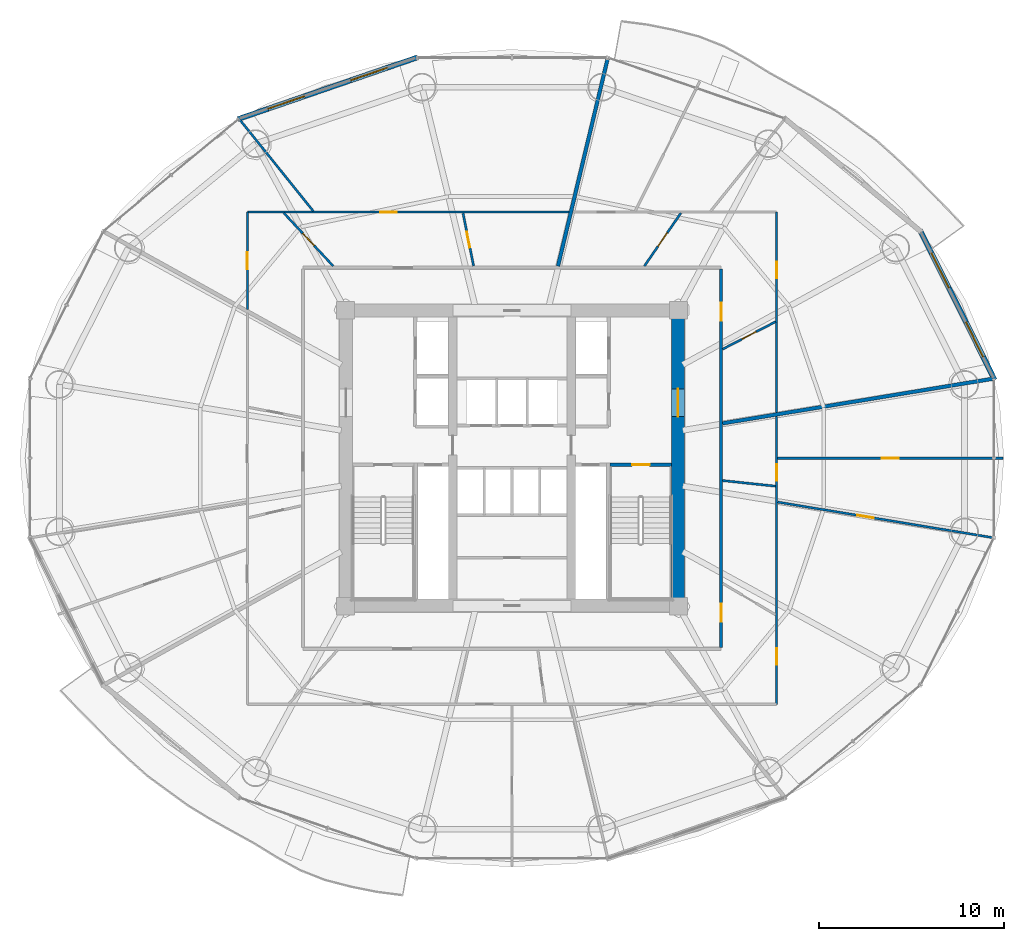
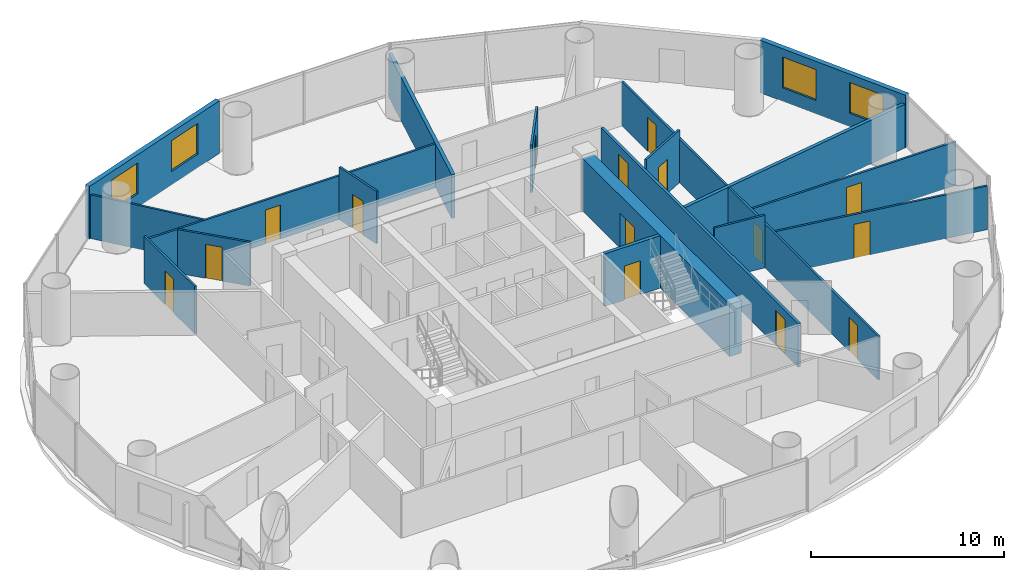
# One storey, part 24 of 29: 19 walls, 15 doors, 4 windows, 19 openings.
"""IFC4 building model written with IfcOpenShell, lengths in metres."""

from ifc_helpers import new_model, si_unit, direction, frame, frame_2d, origin, place, context, subcontext, project, spatial, rectangle, extrude, source, transform, mapped, material, layer, layer_set, type_object, element, fill, save


model = new_model("IFC4")

# Units and contexts
model_context = context("Model", 3, precision=1e-05, world=origin(), true_north=direction((-0.2419218956, 0.970295726276)))
body_context = subcontext(model_context, "Body", "Model", "MODEL_VIEW")
ifc_project = project(units=[si_unit("LENGTHUNIT", "METRE"), si_unit("AREAUNIT", "SQUARE_METRE"), si_unit("VOLUMEUNIT", "CUBIC_METRE"), si_unit("PLANEANGLEUNIT", "RADIAN"), si_unit("MASSUNIT", "GRAM", prefix="KILO")], contexts=[model_context])

# Site, building, storey
site_placement = place(None, origin())
site = spatial("IfcSite", under=ifc_project, at=site_placement, CompositionType="ELEMENT")
building_placement = place(site_placement, origin())
building = spatial("IfcBuilding", under=site, at=building_placement, Name="Cobrevalo Terracotta Tower", CompositionType="ELEMENT")
storey_placement = place(building_placement, frame((0.0, 0.0, 123.0)))
storey = spatial("IfcBuildingStorey", under=building, at=storey_placement, Name="L32", CompositionType="ELEMENT", Elevation=123.0)

# Wall, opening, door
ifc_material_1 = material(Name="Concrete C60", Category="concrete")
ifc_layer_1 = layer(ifc_material_1, 0.699951171875)
ifc_layer_set_1 = layer_set([ifc_layer_1], Name="Concrete C60")
wall_type_1 = type_object("IfcWallType", Name="Core shear wall 700 mm Concrete C60", PredefinedType="SHEAR", material=ifc_layer_set_1)
wall_1_placement = place(storey_placement, frame((46.97509765625, 19.175048828125, 0.0), z_axis=(0.0, 0.0, 1.0), x_axis=(0.0, 1.0, 0.0)))
wall_1 = element("IfcWall", 1, at=wall_1_placement, inside=storey, type_object=wall_type_1, Name="L32 east core shear wall", PredefinedType="SHEAR", context=body_context, shape_type="SweptSolid", body=[
    extrude(rectangle(XDim=15.25, YDim=0.699951171875, at=frame_2d((7.625, 0.0))), origin(), (0.0, 0.0, 1.0), 3.324951171875),
])
opening_1_placement = place(wall_1_placement, frame((9.875, 0.0, 0.0)))
opening_1 = element("IfcOpeningElement", 2, at=opening_1_placement, cuts=wall_1, Name="Opening ID-14", PredefinedType="OPENING", context=body_context, shape_type="SweptSolid", body=[
    extrude(rectangle(XDim=1.5, YDim=2.199951171875, at=frame_2d((0.75, 1.10009765625))), frame((0.0, 0.35986328125, 0.0), z_axis=(0.0, -1.0, 0.0), x_axis=(1.0, 0.0, 0.0)), (0.0, 0.0, 1.0), 0.719970703125),
])
ifc_material_2 = material(Name="Galvanized fire-rated steel", Category="steel")
door_type_1 = type_object("IfcDoorType", Name="Core cross-lobby double fire door 1500x2200 EI 90", OperationType="NOTDEFINED", PredefinedType="DOOR", material=ifc_material_2)
shared_shape_1 = source(origin(), body_context, "Body", "SweptSolid", [
    extrude(rectangle(XDim=1.5, YDim=2.199951171875, at=frame_2d((0.75, 1.10009765625))), frame((0.0, 0.02490234375, 0.0), z_axis=(0.0, -1.0, 0.0), x_axis=(1.0, 0.0, 0.0)), (0.0, 0.0, 1.0), 0.050048828125),
])
door_1_placement = place(opening_1_placement, frame((1.5, 0.0, 0.0), z_axis=(0.0, 0.0, 1.0), x_axis=(-1.0, 0.0, 0.0)))
door_1 = element("IfcDoor", 3, at=door_1_placement, inside=storey, type_object=door_type_1, Name="L32 east firefighting lobby entrance door", OperationType="DOUBLE_DOOR_SINGLE_SWING", OverallHeight=2.199951171875, OverallWidth=1.5, PredefinedType="DOOR", context=body_context, shape_type="MappedRepresentation", body=[
    mapped(shared_shape_1, transform((0.0, 0.0, 0.0), scale=1.0)),
])
fill(opening_1, door_1)

# Wall, openings, doors
ifc_material_3 = material(Name="Gypsum board on steel stud", Category="steel")
ifc_layer_2 = layer(ifc_material_3, 0.159912109375)
ifc_layer_set_2 = layer_set([ifc_layer_2], Name="Gypsum board on steel stud")
wall_type_2 = type_object("IfcWallType", Name="Fire-rated corridor acoustic partition wall 160 mm", PredefinedType="PARTITIONING", material=ifc_layer_set_2)
wall_2_placement = place(storey_placement, frame((49.304931640625, 16.574951171875, 0.0), z_axis=(0.0, 0.0, 1.0), x_axis=(0.0, 1.0, 0.0)))
wall_2 = element("IfcWall", 4, at=wall_2_placement, inside=storey, type_object=wall_type_2, Name="L32 interior partition IW-L32-COR-E", PredefinedType="PARTITIONING", context=body_context, shape_type="SweptSolid", body=[
    extrude(rectangle(XDim=20.449951171875, YDim=0.159912109375, at=frame_2d((10.22509765625, 0.0))), origin(), (0.0, 0.0, 1.0), 2.76708984375),
])
opening_2_placement = place(wall_2_placement, frame((17.660400390625, 0.0, 0.0)))
opening_2 = element("IfcOpeningElement", 5, at=opening_2_placement, cuts=wall_2, Name="Opening ID-05", PredefinedType="OPENING", context=body_context, shape_type="SweptSolid", body=[
    extrude(rectangle(XDim=0.97998046875, YDim=2.199951171875, at=frame_2d((0.489990234375, 1.10009765625))), frame((0.0, 0.08984375, 0.0), z_axis=(0.0, -1.0, 0.0), x_axis=(1.0, 0.0, 0.0)), (0.0, 0.0, 1.0), 0.179931640625),
])
opening_3_placement = place(wall_2_placement, frame((1.3740234375, 0.0, 0.0)))
opening_3 = element("IfcOpeningElement", 6, at=opening_3_placement, cuts=wall_2, Name="Opening ID-05", PredefinedType="OPENING", context=body_context, shape_type="SweptSolid", body=[
    extrude(rectangle(XDim=0.97998046875, YDim=2.199951171875, at=frame_2d((0.489990234375, 1.10009765625))), frame((0.0, 0.08984375, 0.0), z_axis=(0.0, -1.0, 0.0), x_axis=(1.0, 0.0, 0.0)), (0.0, 0.0, 1.0), 0.179931640625),
])
ifc_material_4 = material(Name="Solid hardwood timber", Category="wood")
door_type_2 = type_object("IfcDoorType", Name="Residence entrance fire-rated acoustic timber door 980x2200 EI 60", OperationType="NOTDEFINED", PredefinedType="DOOR", material=ifc_material_4)
shared_shape_2 = source(origin(), body_context, "Body", "SweptSolid", [
    extrude(rectangle(XDim=0.97998046875, YDim=2.199951171875, at=frame_2d((0.489990234375, 1.10009765625))), frame((0.0, 0.02490234375, 0.0), z_axis=(0.0, -1.0, 0.0), x_axis=(1.0, 0.0, 0.0)), (0.0, 0.0, 1.0), 0.050048828125),
])
door_2_placement = place(opening_2_placement, frame((0.97998046875, 0.0, 0.0), z_axis=(0.0, 0.0, 1.0), x_axis=(-1.0, 0.0, 0.0)))
door_2 = element("IfcDoor", 7, at=door_2_placement, inside=storey, type_object=door_type_2, Name="Flat L32A fire-rated apartment entrance door", OperationType="SINGLE_SWING_LEFT", OverallHeight=2.199951171875, OverallWidth=0.97998046875, PredefinedType="DOOR", context=body_context, shape_type="MappedRepresentation", body=[
    mapped(shared_shape_2, transform((0.0, 0.0, 0.0), scale=1.0)),
])
fill(opening_2, door_2)
door_3_placement = place(opening_3_placement, frame((0.97998046875, 0.0, 0.0), z_axis=(0.0, 0.0, 1.0), x_axis=(-1.0, 0.0, 0.0)))
door_3 = element("IfcDoor", 8, at=door_3_placement, inside=storey, type_object=door_type_2, Name="Flat L32E fire-rated apartment entrance door", OperationType="SINGLE_SWING_LEFT", OverallHeight=2.199951171875, OverallWidth=0.97998046875, PredefinedType="DOOR", context=body_context, shape_type="MappedRepresentation", body=[
    mapped(shared_shape_2, transform((0.0, 0.0, 0.0), scale=1.0)),
])
fill(opening_3, door_3)

# Walls
ifc_material_5 = material(Name="Autoclaved aerated concrete block", Category="concrete")
ifc_layer_3 = layer(ifc_material_5, 0.199951171875)
ifc_layer_set_3 = layer_set([ifc_layer_3], Name="Autoclaved aerated concrete block")
wall_type_3 = type_object("IfcWallType", Name="Fire-rated stair, shaft & demising masonry wall 200 mm", PredefinedType="PARTITIONING", material=ifc_layer_set_3)
wall_3_placement = place(storey_placement, frame((49.386962890625, 28.681884765625, 0.0), z_axis=(0.0, 0.0, 1.0), x_axis=(0.986617934215, 0.163049231479, 0.0)))
element("IfcWall", 9, at=wall_3_placement, inside=storey, type_object=wall_type_3, Name="L32 interior partition IW-L32-DEM-1", PredefinedType="PARTITIONING", context=body_context, shape_type="SweptSolid", body=[
    extrude(rectangle(XDim=14.78466796875, YDim=0.199951171875, at=frame_2d((7.392333984375, 0.0))), origin(), (0.0, 0.0, 1.0), 2.76708984375),
])
wall_4_placement = place(storey_placement, frame((40.486328125, 37.18505859375, 0.0), z_axis=(0.0, 0.0, 1.0), x_axis=(0.232834224261, 0.972516438942, 0.0)))
element("IfcWall", 10, at=wall_4_placement, inside=storey, type_object=wall_type_3, Name="L32 interior partition IW-L32-DEM-2", PredefinedType="PARTITIONING", context=body_context, shape_type="SweptSolid", body=[
    extrude(rectangle(XDim=11.501708984375, YDim=0.199951171875, at=frame_2d((5.7509765625, 0.0))), origin(), (0.0, 0.0, 1.0), 2.76708984375),
])

# Wall, openings, windows
ifc_layer_4 = layer(ifc_material_5, 0.280029296875)
ifc_layer_set_4 = layer_set([ifc_layer_4], Name="Autoclaved aerated concrete block")
wall_type_4 = type_object("IfcWallType", Name="Insulated tower spandrel & pier wall 280 mm with terracotta rainscreen", PredefinedType="SOLIDWALL", material=ifc_layer_set_4)
wall_5_placement = place(storey_placement, frame((64.09521484375, 31.033935546875, 0.0), z_axis=(0.0, 0.0, 1.0), x_axis=(-0.446263788661, 0.894901464369, 0.0)))
wall_5 = element("IfcWall", 11, at=wall_5_placement, inside=storey, type_object=wall_type_4, Name="L32 terracotta rainscreen pier wall S01", PredefinedType="SOLIDWALL", context=body_context, shape_type="SweptSolid", body=[
    extrude(rectangle(XDim=9.05029296875, YDim=0.280029296875, at=frame_2d((4.525146484375, 0.0))), origin(), (0.0, 0.0, 1.0), 3.324951171875),
])
opening_4_placement = place(wall_5_placement, frame((1.3935546875, 0.0, 0.85009765625)))
opening_4 = element("IfcOpeningElement", 12, at=opening_4_placement, cuts=wall_5, Name="Opening WN-10", PredefinedType="OPENING", context=body_context, shape_type="SweptSolid", body=[
    extrude(rectangle(XDim=2.10009765625, YDim=1.949951171875, at=frame_2d((1.050048828125, 0.97509765625))), frame((0.0, 0.14990234375, 0.0), z_axis=(0.0, -1.0, 0.0), x_axis=(1.0, 0.0, 0.0)), (0.0, 0.0, 1.0), 0.300048828125),
])
opening_5_placement = place(wall_5_placement, frame((5.556640625, 0.0, 0.85009765625)))
opening_5 = element("IfcOpeningElement", 13, at=opening_5_placement, cuts=wall_5, Name="Opening WN-10", PredefinedType="OPENING", context=body_context, shape_type="SweptSolid", body=[
    extrude(rectangle(XDim=2.10009765625, YDim=1.949951171875, at=frame_2d((1.050048828125, 0.97509765625))), frame((0.0, 0.14990234375, 0.0), z_axis=(0.0, -1.0, 0.0), x_axis=(1.0, 0.0, 0.0)), (0.0, 0.0, 1.0), 0.300048828125),
])
ifc_material_6 = material(Name="Solar-control low-E double glazing", Category="glass")
window_type = type_object("IfcWindowType", Name="Wide panoramic low-E aluminium window 2100x1950", PartitioningType="SINGLE_PANEL", PredefinedType="WINDOW", material=ifc_material_6)
shared_shape_3 = source(origin(), body_context, "Body", "SweptSolid", [
    extrude(rectangle(XDim=2.10009765625, YDim=1.949951171875, at=frame_2d((1.050048828125, 0.97509765625))), frame((0.0, 0.030029296875, 0.0), z_axis=(0.0, -1.0, 0.0), x_axis=(1.0, 0.0, 0.0)), (0.0, 0.0, 1.0), 0.06005859375),
])
window_1_placement = place(opening_4_placement, origin())
window_1 = element("IfcWindow", 14, at=window_1_placement, inside=storey, type_object=window_type, Name="L32 suite window S01A", OverallHeight=1.949951171875, OverallWidth=2.10009765625, PartitioningType="SINGLE_PANEL", PredefinedType="WINDOW", context=body_context, shape_type="MappedRepresentation", body=[
    mapped(shared_shape_3, transform((0.0, 0.0, 0.0), scale=1.0)),
])
fill(opening_4, window_1)
window_2_placement = place(opening_5_placement, origin())
window_2 = element("IfcWindow", 15, at=window_2_placement, inside=storey, type_object=window_type, Name="L32 suite window S01B", OverallHeight=1.949951171875, OverallWidth=2.10009765625, PartitioningType="SINGLE_PANEL", PredefinedType="WINDOW", context=body_context, shape_type="MappedRepresentation", body=[
    mapped(shared_shape_3, transform((0.0, 0.0, 0.0), scale=1.0)),
])
fill(opening_5, window_2)

wall_6_placement = place(storey_placement, frame((32.89208984375, 48.471923828125, 0.0), z_axis=(0.0, 0.0, 1.0), x_axis=(-0.945597432299, -0.325339047809, 0.0)))
wall_6 = element("IfcWall", 16, at=wall_6_placement, inside=storey, type_object=wall_type_4, Name="L32 terracotta rainscreen pier wall S05", PredefinedType="SOLIDWALL", context=body_context, shape_type="SweptSolid", body=[
    extrude(rectangle(XDim=10.2890625, YDim=0.280029296875, at=frame_2d((5.14453125, 0.0))), origin(), (0.0, 0.0, 1.0), 3.324951171875),
])
opening_6_placement = place(wall_6_placement, frame((1.72802734375, 0.0, 0.85009765625)))
opening_6 = element("IfcOpeningElement", 17, at=opening_6_placement, cuts=wall_6, Name="Opening WN-10", PredefinedType="OPENING", context=body_context, shape_type="SweptSolid", body=[
    extrude(rectangle(XDim=2.10009765625, YDim=1.949951171875, at=frame_2d((1.050048828125, 0.97509765625))), frame((0.0, 0.14990234375, 0.0), z_axis=(0.0, -1.0, 0.0), x_axis=(1.0, 0.0, 0.0)), (0.0, 0.0, 1.0), 0.300048828125),
])
opening_7_placement = place(wall_6_placement, frame((6.4609375, 0.0, 0.85009765625)))
opening_7 = element("IfcOpeningElement", 18, at=opening_7_placement, cuts=wall_6, Name="Opening WN-10", PredefinedType="OPENING", context=body_context, shape_type="SweptSolid", body=[
    extrude(rectangle(XDim=2.10009765625, YDim=1.949951171875, at=frame_2d((1.050048828125, 0.97509765625))), frame((0.0, 0.14990234375, 0.0), z_axis=(0.0, -1.0, 0.0), x_axis=(1.0, 0.0, 0.0)), (0.0, 0.0, 1.0), 0.300048828125),
])
window_3_placement = place(opening_6_placement, origin())
window_3 = element("IfcWindow", 19, at=window_3_placement, inside=storey, type_object=window_type, Name="L32 suite window S05A", OverallHeight=1.949951171875, OverallWidth=2.10009765625, PartitioningType="SINGLE_PANEL", PredefinedType="WINDOW", context=body_context, shape_type="MappedRepresentation", body=[
    mapped(shared_shape_3, transform((0.0, 0.0, 0.0), scale=1.0)),
])
fill(opening_6, window_3)
window_4_placement = place(opening_7_placement, origin())
window_4 = element("IfcWindow", 20, at=window_4_placement, inside=storey, type_object=window_type, Name="L32 suite window S05B", OverallHeight=1.949951171875, OverallWidth=2.10009765625, PartitioningType="SINGLE_PANEL", PredefinedType="WINDOW", context=body_context, shape_type="MappedRepresentation", body=[
    mapped(shared_shape_3, transform((0.0, 0.0, 0.0), scale=1.0)),
])
fill(opening_7, window_4)

# Wall, opening, door
ifc_layer_5 = layer(ifc_material_3, 0.1201171875)
ifc_layer_set_5 = layer_set([ifc_layer_5], Name="Gypsum board on steel stud")
wall_type_5 = type_object("IfcWallType", Name="Residential internal acoustic stud partition 120 mm", PredefinedType="PARTITIONING", material=ifc_layer_set_5)
wall_7_placement = place(storey_placement, frame((52.304931640625, 40.10498046875, 0.0), z_axis=(0.0, 0.0, 1.0), x_axis=(0.0, -1.0, 0.0)))
wall_7 = element("IfcWall", 21, at=wall_7_placement, inside=storey, type_object=wall_type_5, Name="L32 interior partition IW-L32-U1-RING1_0", PredefinedType="PARTITIONING", context=body_context, shape_type="SweptSolid", body=[
    extrude(rectangle(XDim=10.8388671875, YDim=0.1201171875, at=frame_2d((5.41943359375, 0.0))), origin(), (0.0, 0.0, 1.0), 2.76708984375),
])
opening_8_placement = place(wall_7_placement, frame((2.6748046875, 0.0, 0.0)))
opening_8 = element("IfcOpeningElement", 22, at=opening_8_placement, cuts=wall_7, Name="Opening ID-12", PredefinedType="OPENING", context=body_context, shape_type="SweptSolid", body=[
    extrude(rectangle(XDim=0.89990234375, YDim=2.14990234375, at=frame_2d((0.449951171875, 1.074951171875))), frame((0.0, 0.070068359375, 0.0), z_axis=(0.0, -1.0, 0.0), x_axis=(1.0, 0.0, 0.0)), (0.0, 0.0, 1.0), 0.14013671875),
])
ifc_material_7 = material(Name="Engineered timber", Category="wood")
door_type_3 = type_object("IfcDoorType", Name="Internal residence & suite timber door 900x2150", OperationType="NOTDEFINED", PredefinedType="DOOR", material=ifc_material_7)
shared_shape_4 = source(origin(), body_context, "Body", "SweptSolid", [
    extrude(rectangle(XDim=0.89990234375, YDim=2.14990234375, at=frame_2d((0.449951171875, 1.074951171875))), frame((0.0, 0.02490234375, 0.0), z_axis=(0.0, -1.0, 0.0), x_axis=(1.0, 0.0, 0.0)), (0.0, 0.0, 1.0), 0.050048828125),
])
door_4_placement = place(opening_8_placement, origin())
door_4 = element("IfcDoor", 23, at=door_4_placement, inside=storey, type_object=door_type_3, Name="Flat L32A Penthouse Living and Dining Room internal door", OperationType="SINGLE_SWING_LEFT", OverallHeight=2.14990234375, OverallWidth=0.89990234375, PredefinedType="DOOR", context=body_context, shape_type="MappedRepresentation", body=[
    mapped(shared_shape_4, transform((0.0, 0.0, 0.0), scale=1.0)),
])
fill(opening_8, door_4)

wall_8_placement = place(storey_placement, frame((49.38671875, 32.695068359375, 0.0), z_axis=(0.0, 0.0, 1.0), x_axis=(0.888069491277, 0.459709232737, 0.0)))
wall_8 = element("IfcWall", 24, at=wall_8_placement, inside=storey, type_object=wall_type_5, Name="L32 interior partition IW-L32-U1-IRAD1", PredefinedType="PARTITIONING", context=body_context, shape_type="SweptSolid", body=[
    extrude(rectangle(XDim=3.22412109375, YDim=0.1201171875, at=frame_2d((1.612060546875, 0.0))), origin(), (0.0, 0.0, 1.0), 3.324951171875),
])
opening_9_placement = place(wall_8_placement, frame((1.18212890625, 0.0, 0.0)))
opening_9 = element("IfcOpeningElement", 25, at=opening_9_placement, cuts=wall_8, Name="Opening ID-19", PredefinedType="OPENING", context=body_context, shape_type="SweptSolid", body=[
    extrude(rectangle(XDim=0.860107421875, YDim=2.14990234375, at=frame_2d((0.43017578125, 1.074951171875))), frame((0.0, 0.070068359375, 0.0), z_axis=(0.0, -1.0, 0.0), x_axis=(1.0, 0.0, 0.0)), (0.0, 0.0, 1.0), 0.14013671875),
])
ifc_material_8 = material(Name="Moisture-sealed timber", Category="wood")
door_type_4 = type_object("IfcDoorType", Name="Suite bathroom internal timber door 860x2150", OperationType="NOTDEFINED", PredefinedType="DOOR", material=ifc_material_8)
shared_shape_5 = source(origin(), body_context, "Body", "SweptSolid", [
    extrude(rectangle(XDim=0.860107421875, YDim=2.14990234375, at=frame_2d((0.43017578125, 1.074951171875))), frame((0.0, 0.02490234375, 0.0), z_axis=(0.0, -1.0, 0.0), x_axis=(1.0, 0.0, 0.0)), (0.0, 0.0, 1.0), 0.050048828125),
])
door_5_placement = place(opening_9_placement, frame((0.860107421875, 0.0, 0.0), z_axis=(0.0, 0.0, 1.0), x_axis=(-1.0, 0.0, 0.0)))
door_5 = element("IfcDoor", 26, at=door_5_placement, inside=storey, type_object=door_type_4, Name="Flat L32A Primary Bathroom internal door", OperationType="SINGLE_SWING_RIGHT", OverallHeight=2.14990234375, OverallWidth=0.860107421875, PredefinedType="DOOR", context=body_context, shape_type="MappedRepresentation", body=[
    mapped(shared_shape_5, transform((0.0, 0.0, 0.0), scale=1.0)),
])
fill(opening_9, door_5)

wall_9_placement = place(storey_placement, frame((45.1552734375, 37.18505859375, 0.0), z_axis=(0.0, 0.0, 1.0), x_axis=(0.567393940912, 0.82344648631, 0.0)))
wall_9 = element("IfcWall", 27, at=wall_9_placement, inside=storey, type_object=wall_type_5, Name="L32 interior partition IW-L32-U1-IRAD2", PredefinedType="PARTITIONING", context=body_context, shape_type="SweptSolid", body=[
    extrude(rectangle(XDim=3.484130859375, YDim=0.1201171875, at=frame_2d((1.7421875, 0.0))), origin(), (0.0, 0.0, 1.0), 3.00390625),
])
opening_10_placement = place(wall_9_placement, frame((1.2919921875, 0.0, 0.0)))
opening_10 = element("IfcOpeningElement", 28, at=opening_10_placement, cuts=wall_9, Name="Opening ID-12", PredefinedType="OPENING", context=body_context, shape_type="SweptSolid", body=[
    extrude(rectangle(XDim=0.89990234375, YDim=2.14990234375, at=frame_2d((0.449951171875, 1.074951171875))), frame((0.0, 0.070068359375, 0.0), z_axis=(0.0, -1.0, 0.0), x_axis=(1.0, 0.0, 0.0)), (0.0, 0.0, 1.0), 0.14013671875),
])
door_6_placement = place(opening_10_placement, origin())
door_6 = element("IfcDoor", 29, at=door_6_placement, inside=storey, type_object=door_type_3, Name="Flat L32A Kitchen internal door", OperationType="SINGLE_SWING_RIGHT", OverallHeight=2.14990234375, OverallWidth=0.89990234375, PredefinedType="DOOR", context=body_context, shape_type="MappedRepresentation", body=[
    mapped(shared_shape_4, transform((0.0, 0.0, 0.0), scale=1.0)),
])
fill(opening_10, door_6)

wall_10_placement = place(storey_placement, frame((23.695068359375, 34.84326171875, 0.0), z_axis=(0.0, 0.0, 1.0), x_axis=(0.0, 1.0, 0.0)))
wall_10 = element("IfcWall", 30, at=wall_10_placement, inside=storey, type_object=wall_type_5, Name="L32 interior partition IW-L32-U2-RING0_0", PredefinedType="PARTITIONING", context=body_context, shape_type="SweptSolid", body=[
    extrude(rectangle(XDim=5.26171875, YDim=0.1201171875, at=frame_2d((2.630859375, 0.0))), origin(), (0.0, 0.0, 1.0), 3.00390625),
])
opening_11_placement = place(wall_10_placement, frame((2.180908203125, 0.0, 0.0)))
opening_11 = element("IfcOpeningElement", 31, at=opening_11_placement, cuts=wall_10, Name="Opening ID-12", PredefinedType="OPENING", context=body_context, shape_type="SweptSolid", body=[
    extrude(rectangle(XDim=0.89990234375, YDim=2.14990234375, at=frame_2d((0.449951171875, 1.074951171875))), frame((0.0, 0.070068359375, 0.0), z_axis=(0.0, -1.0, 0.0), x_axis=(1.0, 0.0, 0.0)), (0.0, 0.0, 1.0), 0.14013671875),
])
door_7_placement = place(opening_11_placement, origin())
door_7 = element("IfcDoor", 32, at=door_7_placement, inside=storey, type_object=door_type_3, Name="Flat L32B Master Bedroom internal door", OperationType="SINGLE_SWING_LEFT", OverallHeight=2.14990234375, OverallWidth=0.89990234375, PredefinedType="DOOR", context=body_context, shape_type="MappedRepresentation", body=[
    mapped(shared_shape_4, transform((0.0, 0.0, 0.0), scale=1.0)),
])
fill(opening_11, door_7)

wall_11_placement = place(storey_placement, frame((23.695068359375, 40.10498046875, 0.0), z_axis=(0.0, 0.0, 1.0), x_axis=(1.0, 0.0, 0.0)))
wall_11 = element("IfcWall", 33, at=wall_11_placement, inside=storey, type_object=wall_type_5, Name="L32 interior partition IW-L32-U2-RING1_0", PredefinedType="PARTITIONING", context=body_context, shape_type="SweptSolid", body=[
    extrude(rectangle(XDim=17.388427734375, YDim=0.1201171875, at=frame_2d((8.6943359375, 0.0))), origin(), (0.0, 0.0, 1.0), 2.76708984375),
])
opening_12_placement = place(wall_11_placement, frame((7.18359375, 0.0, 0.0)))
opening_12 = element("IfcOpeningElement", 34, at=opening_12_placement, cuts=wall_11, Name="Opening ID-12", PredefinedType="OPENING", context=body_context, shape_type="SweptSolid", body=[
    extrude(rectangle(XDim=0.89990234375, YDim=2.14990234375, at=frame_2d((0.449951171875, 1.074951171875))), frame((0.0, 0.070068359375, 0.0), z_axis=(0.0, -1.0, 0.0), x_axis=(1.0, 0.0, 0.0)), (0.0, 0.0, 1.0), 0.14013671875),
])
door_8_placement = place(opening_12_placement, origin())
door_8 = element("IfcDoor", 35, at=door_8_placement, inside=storey, type_object=door_type_3, Name="Flat L32B Penthouse Living and Dining Room internal door", OperationType="SINGLE_SWING_LEFT", OverallHeight=2.14990234375, OverallWidth=0.89990234375, PredefinedType="DOOR", context=body_context, shape_type="MappedRepresentation", body=[
    mapped(shared_shape_4, transform((0.0, 0.0, 0.0), scale=1.0)),
])
fill(opening_12, door_8)

# Wall
wall_12_placement = place(storey_placement, frame((27.2607421875, 40.1533203125, 0.0), z_axis=(0.0, 0.0, 1.0), x_axis=(-0.626714875168, 0.779248654309, 0.0)))
element("IfcWall", 36, at=wall_12_placement, inside=storey, type_object=wall_type_5, Name="L32 interior partition IW-L32-U2-ORAD1", PredefinedType="PARTITIONING", context=body_context, shape_type="SweptSolid", body=[
    extrude(rectangle(XDim=6.331787109375, YDim=0.1201171875, at=frame_2d((3.166015625, 0.0))), origin(), (0.0, 0.0, 1.0), 2.76708984375),
])

# Wall, opening, door
wall_13_placement = place(storey_placement, frame((35.924560546875, 37.18505859375, 0.0), z_axis=(0.0, 0.0, 1.0), x_axis=(-0.196019518907, 0.980599993987, 0.0)))
wall_13 = element("IfcWall", 37, at=wall_13_placement, inside=storey, type_object=wall_type_5, Name="L32 interior partition IW-L32-U2-IRAD1", PredefinedType="PARTITIONING", context=body_context, shape_type="SweptSolid", body=[
    extrude(rectangle(XDim=2.915771484375, YDim=0.1201171875, at=frame_2d((1.4580078125, 0.0))), origin(), (0.0, 0.0, 1.0), 3.324951171875),
])
opening_13_placement = place(wall_13_placement, frame((1.02783203125, 0.0, 0.0)))
opening_13 = element("IfcOpeningElement", 38, at=opening_13_placement, cuts=wall_13, Name="Opening ID-19", PredefinedType="OPENING", context=body_context, shape_type="SweptSolid", body=[
    extrude(rectangle(XDim=0.860107421875, YDim=2.14990234375, at=frame_2d((0.43017578125, 1.074951171875))), frame((0.0, 0.070068359375, 0.0), z_axis=(0.0, -1.0, 0.0), x_axis=(1.0, 0.0, 0.0)), (0.0, 0.0, 1.0), 0.14013671875),
])
door_9_placement = place(opening_13_placement, frame((0.860107421875, 0.0, 0.0), z_axis=(0.0, 0.0, 1.0), x_axis=(-1.0, 0.0, 0.0)))
door_9 = element("IfcDoor", 39, at=door_9_placement, inside=storey, type_object=door_type_4, Name="Flat L32B Primary Bathroom internal door", OperationType="SINGLE_SWING_RIGHT", OverallHeight=2.14990234375, OverallWidth=0.860107421875, PredefinedType="DOOR", context=body_context, shape_type="MappedRepresentation", body=[
    mapped(shared_shape_5, transform((0.0, 0.0, 0.0), scale=1.0)),
])
fill(opening_13, door_9)

wall_14_placement = place(storey_placement, frame((28.335205078125, 37.18505859375, 0.0), z_axis=(0.0, 0.0, 1.0), x_axis=(-0.681251984121, 0.732048997083, 0.0)))
wall_14 = element("IfcWall", 40, at=wall_14_placement, inside=storey, type_object=wall_type_5, Name="L32 interior partition IW-L32-U2-IRAD2", PredefinedType="PARTITIONING", context=body_context, shape_type="SweptSolid", body=[
    extrude(rectangle(XDim=3.9267578125, YDim=0.1201171875, at=frame_2d((1.96337890625, 0.0))), origin(), (0.0, 0.0, 1.0), 2.76708984375),
])
opening_14_placement = place(wall_14_placement, frame((1.513427734375, 0.0, 0.0)))
opening_14 = element("IfcOpeningElement", 41, at=opening_14_placement, cuts=wall_14, Name="Opening ID-12", PredefinedType="OPENING", context=body_context, shape_type="SweptSolid", body=[
    extrude(rectangle(XDim=0.89990234375, YDim=2.14990234375, at=frame_2d((0.449951171875, 1.074951171875))), frame((0.0, 0.070068359375, 0.0), z_axis=(0.0, -1.0, 0.0), x_axis=(1.0, 0.0, 0.0)), (0.0, 0.0, 1.0), 0.14013671875),
])
door_10_placement = place(opening_14_placement, origin())
door_10 = element("IfcDoor", 42, at=door_10_placement, inside=storey, type_object=door_type_3, Name="Flat L32B Kitchen internal door", OperationType="SINGLE_SWING_RIGHT", OverallHeight=2.14990234375, OverallWidth=0.89990234375, PredefinedType="DOOR", context=body_context, shape_type="MappedRepresentation", body=[
    mapped(shared_shape_4, transform((0.0, 0.0, 0.0), scale=1.0)),
])
fill(opening_14, door_10)

# Wall, openings, doors
wall_15_placement = place(storey_placement, frame((52.304931640625, 29.06201171875, 0.0), z_axis=(0.0, 0.0, 1.0), x_axis=(0.0, -1.0, 0.0)))
wall_15 = element("IfcWall", 43, at=wall_15_placement, inside=storey, type_object=wall_type_5, Name="L32 interior partition IW-L32-U5-RING0_0", PredefinedType="PARTITIONING", context=body_context, shape_type="SweptSolid", body=[
    extrude(rectangle(XDim=15.56689453125, YDim=0.1201171875, at=frame_2d((7.783447265625, 0.0))), origin(), (0.0, 0.0, 1.0), 2.76708984375),
])
opening_15_placement = place(wall_15_placement, frame((12.534912109375, 0.0, 0.0)))
opening_15 = element("IfcOpeningElement", 44, at=opening_15_placement, cuts=wall_15, Name="Opening ID-12", PredefinedType="OPENING", context=body_context, shape_type="SweptSolid", body=[
    extrude(rectangle(XDim=0.89990234375, YDim=2.14990234375, at=frame_2d((0.449951171875, 1.074951171875))), frame((0.0, 0.070068359375, 0.0), z_axis=(0.0, -1.0, 0.0), x_axis=(1.0, 0.0, 0.0)), (0.0, 0.0, 1.0), 0.14013671875),
])
opening_16_placement = place(wall_15_placement, frame((2.58203125, 0.0, 0.0)))
opening_16 = element("IfcOpeningElement", 45, at=opening_16_placement, cuts=wall_15, Name="Opening ID-12", PredefinedType="OPENING", context=body_context, shape_type="SweptSolid", body=[
    extrude(rectangle(XDim=0.89990234375, YDim=2.14990234375, at=frame_2d((0.449951171875, 1.074951171875))), frame((0.0, 0.070068359375, 0.0), z_axis=(0.0, -1.0, 0.0), x_axis=(1.0, 0.0, 0.0)), (0.0, 0.0, 1.0), 0.14013671875),
])
door_11_placement = place(opening_15_placement, origin())
door_11 = element("IfcDoor", 46, at=door_11_placement, inside=storey, type_object=door_type_3, Name="Flat L32E Penthouse Living and Dining Room internal door", OperationType="SINGLE_SWING_LEFT", OverallHeight=2.14990234375, OverallWidth=0.89990234375, PredefinedType="DOOR", context=body_context, shape_type="MappedRepresentation", body=[
    mapped(shared_shape_4, transform((0.0, 0.0, 0.0), scale=1.0)),
])
fill(opening_15, door_11)
door_12_placement = place(opening_16_placement, frame((0.89990234375, 0.0, 0.0), z_axis=(0.0, 0.0, 1.0), x_axis=(-1.0, 0.0, 0.0)))
door_12 = element("IfcDoor", 47, at=door_12_placement, inside=storey, type_object=door_type_3, Name="Flat L32E Kitchen internal door", OperationType="SINGLE_SWING_LEFT", OverallHeight=2.14990234375, OverallWidth=0.89990234375, PredefinedType="DOOR", context=body_context, shape_type="MappedRepresentation", body=[
    mapped(shared_shape_4, transform((0.0, 0.0, 0.0), scale=1.0)),
])
fill(opening_16, door_12)

# Wall, opening, door
wall_16_placement = place(storey_placement, frame((52.3662109375, 24.42578125, 0.0), z_axis=(0.0, 0.0, 1.0), x_axis=(0.986619012175, -0.163042708564, 0.0)))
wall_16 = element("IfcWall", 48, at=wall_16_placement, inside=storey, type_object=wall_type_5, Name="L32 interior partition IW-L32-U5-ORAD1", PredefinedType="PARTITIONING", context=body_context, shape_type="SweptSolid", body=[
    extrude(rectangle(XDim=11.76513671875, YDim=0.1201171875, at=frame_2d((5.882568359375, 0.0))), origin(), (0.0, 0.0, 1.0), 2.76708984375),
])
opening_17_placement = place(wall_16_placement, frame((4.359130859375, 0.0, 0.0)))
opening_17 = element("IfcOpeningElement", 49, at=opening_17_placement, cuts=wall_16, Name="Opening ID-12", PredefinedType="OPENING", context=body_context, shape_type="SweptSolid", body=[
    extrude(rectangle(XDim=0.89990234375, YDim=2.14990234375, at=frame_2d((0.449951171875, 1.074951171875))), frame((0.0, 0.070068359375, 0.0), z_axis=(0.0, -1.0, 0.0), x_axis=(1.0, 0.0, 0.0)), (0.0, 0.0, 1.0), 0.14013671875),
])
door_13_placement = place(opening_17_placement, origin())
door_13 = element("IfcDoor", 50, at=door_13_placement, inside=storey, type_object=door_type_3, Name="Flat L32E Master Bedroom internal door", OperationType="SINGLE_SWING_RIGHT", OverallHeight=2.14990234375, OverallWidth=0.89990234375, PredefinedType="DOOR", context=body_context, shape_type="MappedRepresentation", body=[
    mapped(shared_shape_4, transform((0.0, 0.0, 0.0), scale=1.0)),
])
fill(opening_17, door_13)

wall_17_placement = place(storey_placement, frame((52.366943359375, 26.800048828125, 0.0), z_axis=(0.0, 0.0, 1.0), x_axis=(1.0, 0.0, 0.0)))
wall_17 = element("IfcWall", 51, at=wall_17_placement, inside=storey, type_object=wall_type_5, Name="L32 interior partition IW-L32-U5-ORAD2M1", PredefinedType="PARTITIONING", context=body_context, shape_type="SweptSolid", body=[
    extrude(rectangle(XDim=12.173095703125, YDim=0.1201171875, at=frame_2d((6.08642578125, 0.0))), origin(), (0.0, 0.0, 1.0), 2.76708984375),
])
opening_18_placement = place(wall_17_placement, frame((5.636474609375, 0.0, 0.0)))
opening_18 = element("IfcOpeningElement", 52, at=opening_18_placement, cuts=wall_17, Name="Opening ID-12", PredefinedType="OPENING", context=body_context, shape_type="SweptSolid", body=[
    extrude(rectangle(XDim=0.89990234375, YDim=2.14990234375, at=frame_2d((0.449951171875, 1.074951171875))), frame((0.0, 0.070068359375, 0.0), z_axis=(0.0, -1.0, 0.0), x_axis=(1.0, 0.0, 0.0)), (0.0, 0.0, 1.0), 0.14013671875),
])
door_14_placement = place(opening_18_placement, origin())
door_14 = element("IfcDoor", 53, at=door_14_placement, inside=storey, type_object=door_type_3, Name="Flat L32E Penthouse Family Lounge internal door", OperationType="SINGLE_SWING_RIGHT", OverallHeight=2.14990234375, OverallWidth=0.89990234375, PredefinedType="DOOR", context=body_context, shape_type="MappedRepresentation", body=[
    mapped(shared_shape_4, transform((0.0, 0.0, 0.0), scale=1.0)),
])
fill(opening_18, door_14)

# Wall
wall_18_placement = place(storey_placement, frame((49.386962890625, 25.58984375, 0.0), z_axis=(0.0, 0.0, 1.0), x_axis=(0.99440393079, -0.105644793673, 0.0)))
element("IfcWall", 54, at=wall_18_placement, inside=storey, type_object=wall_type_5, Name="L32 interior partition IW-L32-U5-IRAD2", PredefinedType="PARTITIONING", context=body_context, shape_type="SweptSolid", body=[
    extrude(rectangle(XDim=2.87255859375, YDim=0.1201171875, at=frame_2d((1.436279296875, 0.0))), origin(), (0.0, 0.0, 1.0), 3.324951171875),
])

# Wall, opening, door
ifc_material_9 = material(Name="Concrete C50", Category="concrete")
ifc_layer_6 = layer(ifc_material_9, 0.199951171875)
ifc_layer_set_6 = layer_set([ifc_layer_6], Name="Concrete C50")
wall_type_6 = type_object("IfcWallType", Name="Structural core & podium stair-shaft RC wall 200 mm Concrete C50", PredefinedType="SOLIDWALL", material=ifc_layer_set_6)
wall_19_placement = place(storey_placement, frame((43.304931640625, 26.449951171875, 0.0), z_axis=(0.0, 0.0, 1.0), x_axis=(1.0, 0.0, 0.0)))
wall_19 = element("IfcWall", 55, at=wall_19_placement, inside=storey, type_object=wall_type_6, Name="L32 ST-2 north structural shaft wall", PredefinedType="SOLIDWALL", context=body_context, shape_type="SweptSolid", body=[
    extrude(rectangle(XDim=3.320068359375, YDim=0.199951171875, at=frame_2d((1.66015625, 0.0))), origin(), (0.0, 0.0, 1.0), 3.324951171875),
])
opening_19_placement = place(wall_19_placement, frame((1.18505859375, 0.0, 0.0)))
opening_19 = element("IfcOpeningElement", 56, at=opening_19_placement, cuts=wall_19, Name="Opening ID-04", PredefinedType="OPENING", context=body_context, shape_type="SweptSolid", body=[
    extrude(rectangle(XDim=0.949951171875, YDim=2.14990234375, at=frame_2d((0.47509765625, 1.074951171875))), frame((0.0, 0.10986328125, 0.0), z_axis=(0.0, -1.0, 0.0), x_axis=(1.0, 0.0, 0.0)), (0.0, 0.0, 1.0), 0.219970703125),
])
door_type_5 = type_object("IfcDoorType", Name="Stair & firefighting lobby fire door 950x2150 EI 90", OperationType="NOTDEFINED", PredefinedType="DOOR", material=ifc_material_2)
shared_shape_6 = source(origin(), body_context, "Body", "SweptSolid", [
    extrude(rectangle(XDim=0.949951171875, YDim=2.14990234375, at=frame_2d((0.47509765625, 1.074951171875))), frame((0.0, 0.02490234375, 0.0), z_axis=(0.0, -1.0, 0.0), x_axis=(1.0, 0.0, 0.0)), (0.0, 0.0, 1.0), 0.050048828125),
])
door_15_placement = place(opening_19_placement, frame((0.949951171875, 0.0, 0.0), z_axis=(0.0, 0.0, 1.0), x_axis=(-1.0, 0.0, 0.0)))
door_15 = element("IfcDoor", 57, at=door_15_placement, inside=storey, type_object=door_type_5, Name="L32 protected stair ST2 fire door", OperationType="SINGLE_SWING_RIGHT", OverallHeight=2.14990234375, OverallWidth=0.949951171875, PredefinedType="DOOR", context=body_context, shape_type="MappedRepresentation", body=[
    mapped(shared_shape_6, transform((0.0, 0.0, 0.0), scale=1.0)),
])
fill(opening_19, door_15)

save(model, "model.ifc")
